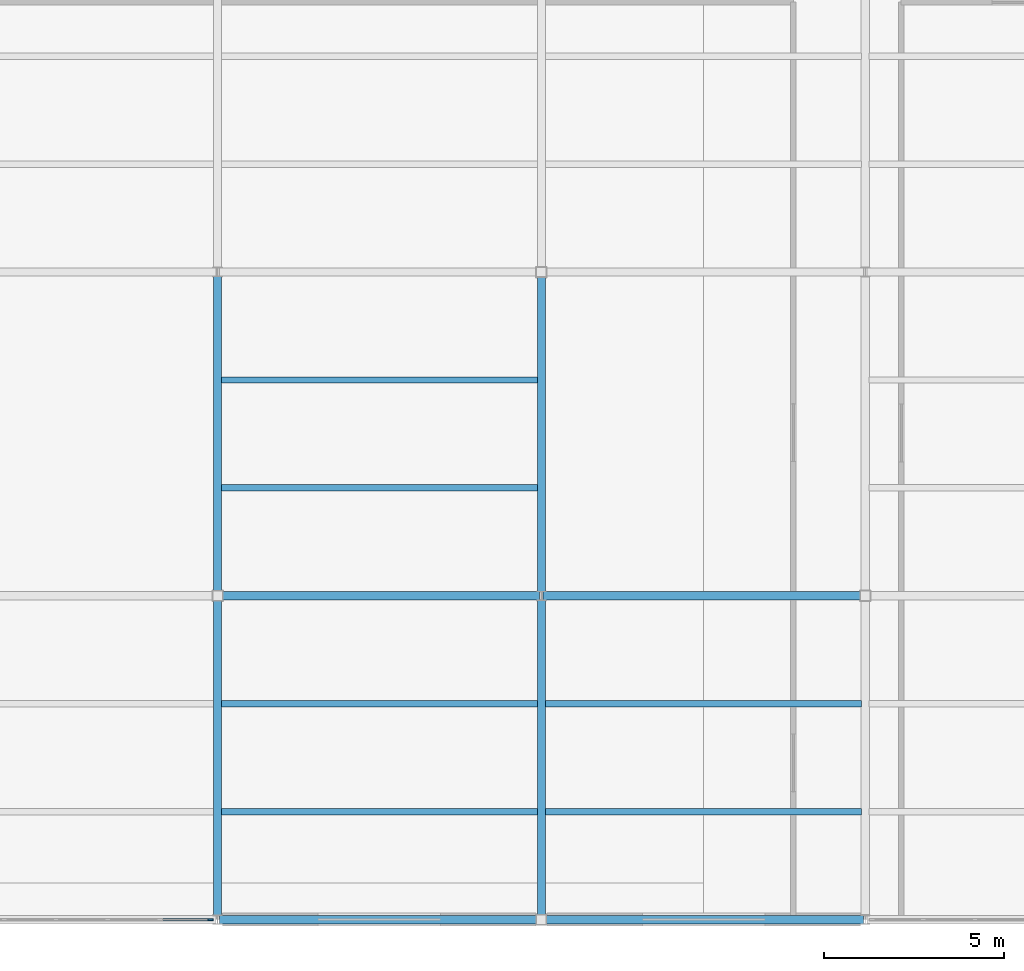
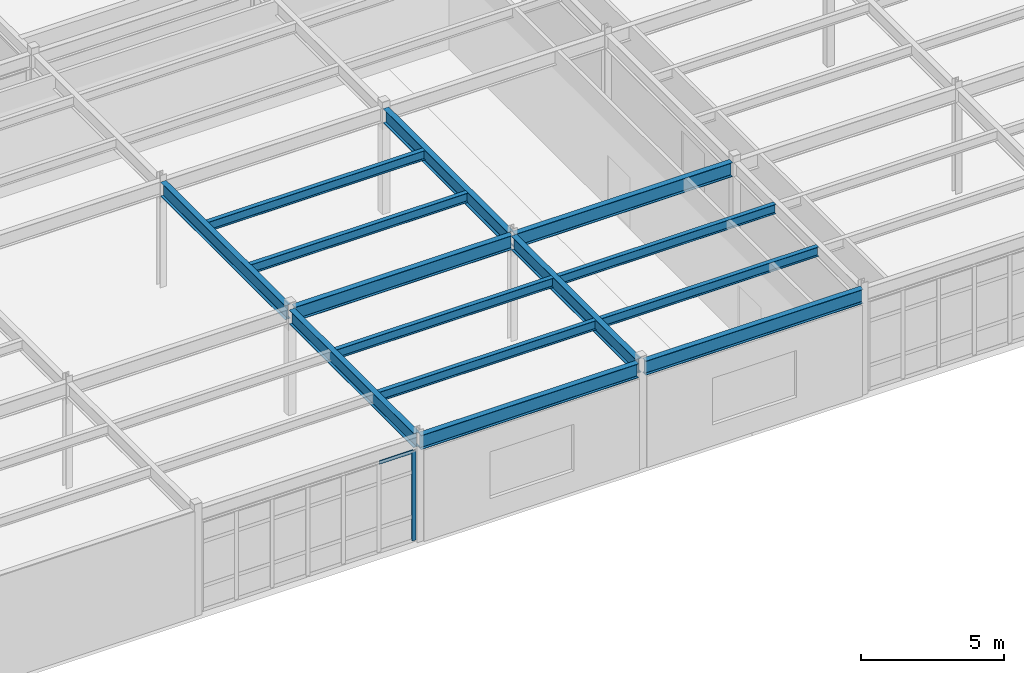
# One storey, part 23 of 84: 14 beams, 2 members, 1 element without a shape of its own.
"""IFC4 building model written with IfcOpenShell, lengths in metres."""

from ifc_helpers import new_model, si_unit, direction, frame, origin, origin_2d, place, context, subcontext, project, spatial, rectangle, i_section, extrude, material, material_profile, profile_set, type_object, element, aggregate, save


model = new_model("IFC4")

# Units and contexts
model_context = context("Model", 3, precision=1e-05, world=origin(), true_north=direction((0.0, 1.0)))
body_context = subcontext(model_context, "Body", "Model", "MODEL_VIEW")
ifc_project = project(units=[si_unit("LENGTHUNIT", "METRE"), si_unit("AREAUNIT", "SQUARE_METRE"), si_unit("VOLUMEUNIT", "CUBIC_METRE"), si_unit("PLANEANGLEUNIT", "RADIAN"), si_unit("MASSUNIT", "GRAM", prefix="KILO")], contexts=[model_context])

# Site, building, storey
site_placement = place(None, origin())
site = spatial("IfcSite", under=ifc_project, at=site_placement, CompositionType="ELEMENT")
building_placement = place(site_placement, origin())
building = spatial("IfcBuilding", under=site, at=building_placement, Name="Glasvene Arena", CompositionType="ELEMENT")
storey_placement = place(building_placement, frame((0.0, 0.0, 10.199951171875)))
storey = spatial("IfcBuildingStorey", under=building, at=storey_placement, Name="L02", CompositionType="ELEMENT", Elevation=10.199951171875)

# Beams
ifc_material_1 = material(Name="Steel S355J2", Category="steel")
ifc_material_profile_1 = material_profile(ifc_material_1, i_section(OverallWidth=0.228271484375, OverallDepth=0.607666015625, WebThickness=0.010986328125, FlangeThickness=0.017333984375, FilletRadius=0.0126953125, at=origin_2d()), Name="UKB 610x229x113")
ifc_profile_set_1 = profile_set([ifc_material_profile_1], Name="Steel S355J2")
beam_type_1 = type_object("IfcBeamType", Name="BM-GIRD-610", PredefinedType="BEAM", material=ifc_profile_set_1)
for number, where, z_axis, x_axis, name in (
    (1, (18.050048828125, 0.0, 4.21630859375), (1.0, 0.0, 0.0), (0.0, 1.0, 0.0), "Primary X girder L02-0781"),
    (2, (27.14501953125, 0.0, 4.21630859375), (1.0, 0.0, 0.0), (0.0, 1.0, 0.0), "Primary X girder L02-0782"),
    (3, (18.14501953125, 9.0, 4.21630859375), (1.0, 0.0, 0.0), (0.0, 1.0, 0.0), "Primary X girder L02-0787"),
    (4, (27.050048828125, 9.0, 4.21630859375), (1.0, 0.0, 0.0), (0.0, 1.0, 0.0), "Primary X girder L02-0788"),
):
    element("IfcBeam", number, at=place(storey_placement, frame(where, z_axis=z_axis, x_axis=x_axis)), inside=storey, type_object=beam_type_1, Name=name, PredefinedType="BEAM", context=body_context, shape_type="SweptSolid", body=[
        extrude(i_section(OverallWidth=0.228271484375, OverallDepth=0.607666015625, WebThickness=0.010986328125, FlangeThickness=0.017333984375, FilletRadius=0.0126953125, at=origin_2d()), origin(), (0.0, 0.0, 1.0), 8.804931640625),
    ])
beam_1_placement = place(storey_placement, frame((18.0, 0.125, 4.21630859375), z_axis=(0.0, 1.0, 0.0), x_axis=(-1.0, 0.0, 0.0)))
element("IfcBeam", 5, at=beam_1_placement, inside=storey, type_object=beam_type_1, Name="Primary Y girder L02-0846", PredefinedType="BEAM", context=body_context, shape_type="SweptSolid", body=[
    extrude(i_section(OverallWidth=0.228271484375, OverallDepth=0.607666015625, WebThickness=0.010986328125, FlangeThickness=0.017333984375, FilletRadius=0.0126953125, at=origin_2d()), origin(), (0.0, 0.0, 1.0), 8.72998046875),
])
beam_2_placement = place(storey_placement, frame((18.0, 9.14501953125, 4.21630859375), z_axis=(0.0, 1.0, 0.0), x_axis=(-1.0, 0.0, 0.0)))
element("IfcBeam", 6, at=beam_2_placement, inside=storey, type_object=beam_type_1, Name="Primary Y girder L02-0847", PredefinedType="BEAM", context=body_context, shape_type="SweptSolid", body=[
    extrude(i_section(OverallWidth=0.228271484375, OverallDepth=0.607666015625, WebThickness=0.010986328125, FlangeThickness=0.017333984375, FilletRadius=0.0126953125, at=origin_2d()), origin(), (0.0, 0.0, 1.0), 8.729736328125),
])
for number, where, z_axis, x_axis, name in (
    (7, (27.0, 0.14501953125, 4.21630859375), (0.0, 1.0, 0.0), (-1.0, 0.0, 0.0), "Primary Y girder L02-0854"),
    (8, (27.0, 9.125, 4.21630859375), (0.0, 1.0, 0.0), (-1.0, 0.0, 0.0), "Primary Y girder L02-0855"),
):
    element("IfcBeam", number, at=place(storey_placement, frame(where, z_axis=z_axis, x_axis=x_axis)), inside=storey, type_object=beam_type_1, Name=name, PredefinedType="BEAM", context=body_context, shape_type="SweptSolid", body=[
        extrude(i_section(OverallWidth=0.228271484375, OverallDepth=0.607666015625, WebThickness=0.010986328125, FlangeThickness=0.017333984375, FilletRadius=0.0126953125, at=origin_2d()), origin(), (0.0, 0.0, 1.0), 8.72998046875),
    ])
ifc_material_profile_2 = material_profile(ifc_material_1, i_section(OverallWidth=0.177978515625, OverallDepth=0.406494140625, WebThickness=0.0078125, FlangeThickness=0.0126953125, FilletRadius=0.01025390625, at=origin_2d()), Name="UKB 406x178x60")
ifc_profile_set_2 = profile_set([ifc_material_profile_2], Name="Steel S355J2")
beam_type_2 = type_object("IfcBeamType", Name="BM-JOIST-406", PredefinedType="JOIST", material=ifc_profile_set_2)
for number, where, z_axis, x_axis, name in (
    (9, (18.110107421875, 3.0, 4.31689453125), (1.0, 0.0, 0.0), (0.0, 1.0, 0.0), "Composite floor joist L02-0901"),
    (10, (18.110107421875, 6.0, 4.31689453125), (1.0, 0.0, 0.0), (0.0, 1.0, 0.0), "Composite floor joist L02-0902"),
    (11, (18.110107421875, 12.0, 4.31689453125), (1.0, 0.0, 0.0), (0.0, 1.0, 0.0), "Composite floor joist L02-0903"),
    (12, (18.110107421875, 15.0, 4.31689453125), (1.0, 0.0, 0.0), (0.0, 1.0, 0.0), "Composite floor joist L02-0904"),
    (13, (27.110107421875, 3.0, 4.31689453125), (1.0, 0.0, 0.0), (0.0, 1.0, 0.0), "Composite floor joist L02-0911"),
    (14, (27.110107421875, 6.0, 4.31689453125), (1.0, 0.0, 0.0), (0.0, 1.0, 0.0), "Composite floor joist L02-0912"),
):
    element("IfcBeam", number, at=place(storey_placement, frame(where, z_axis=z_axis, x_axis=x_axis)), inside=storey, type_object=beam_type_2, Name=name, PredefinedType="JOIST", context=body_context, shape_type="SweptSolid", body=[
        extrude(i_section(OverallWidth=0.177978515625, OverallDepth=0.406494140625, WebThickness=0.0078125, FlangeThickness=0.0126953125, FilletRadius=0.01025390625, at=origin_2d()), origin(), (0.0, 0.0, 1.0), 8.77978515625),
    ])

# Curtain wall, members
ifc_material_2 = material(Name="Low-emissivity laminated double glazing", Category="glass")
curtain_wall_type = type_object("IfcCurtainWallType", Name="CW-FAC-L02-864x385", PredefinedType="USERDEFINED", material=ifc_material_2)
curtain_wall_placement = place(storey_placement, frame((17.829833984375, 0.0, 0.0)))
curtain_wall = element("IfcCurtainWall", 15, at=curtain_wall_placement, inside=storey, type_object=curtain_wall_type, Name="Unitised curtain wall CW-F-L02-150-135-0-73", ObjectType="CURTAIN WALL", PredefinedType="USERDEFINED")
ifc_material_3 = material(Name="Anodised architectural aluminium", Category="aluminium")
ifc_material_profile_3 = material_profile(ifc_material_3, rectangle(XDim=0.050048828125, YDim=0.159912109375, at=origin_2d()), Name="ALU MULLION 50x160")
ifc_profile_set_3 = profile_set([ifc_material_profile_3], Name="Anodised architectural aluminium")
member_type_1 = type_object("IfcMemberType", Name="CW-MUL-150", PredefinedType="MULLION", material=ifc_profile_set_3)
member_1_placement = place(storey_placement, frame((17.8046875, 0.0, 0.06005859375), z_axis=(0.0, 0.0, 1.0), x_axis=(0.0, -1.0, 0.0)))
member_1 = element("IfcMember", 16, at=member_1_placement, type_object=member_type_1, Name="CW-030 mullion 1", PredefinedType="MULLION", context=body_context, shape_type="SweptSolid", body=[
    extrude(rectangle(XDim=0.050048828125, YDim=0.159912109375, at=origin_2d()), origin(), (0.0, 0.0, 1.0), 3.846923828125),
])
ifc_material_profile_4 = material_profile(ifc_material_3, rectangle(XDim=0.050048828125, YDim=0.14990234375, at=origin_2d()), Name="ALU TRANSOM 50x150")
ifc_profile_set_4 = profile_set([ifc_material_profile_4], Name="Anodised architectural aluminium")
member_type_2 = type_object("IfcMemberType", Name="CW-TRN-150", PredefinedType="USERDEFINED", material=ifc_profile_set_4)
member_2_placement = place(storey_placement, frame((17.77978515625, 0.0, 3.882080078125), z_axis=(-1.0, 0.0, 0.0), x_axis=(0.0, -1.0, 0.0)))
member_2 = element("IfcMember", 17, at=member_2_placement, type_object=member_type_2, Name="CW-030 transom 1.4", ObjectType="TRANSOM", PredefinedType="USERDEFINED", context=body_context, shape_type="SweptSolid", body=[
    extrude(rectangle(XDim=0.050048828125, YDim=0.14990234375, at=origin_2d()), origin(), (0.0, 0.0, 1.0), 1.364501953125),
])
aggregate(curtain_wall, [member_1, member_2])

save(model, "model.ifc")
